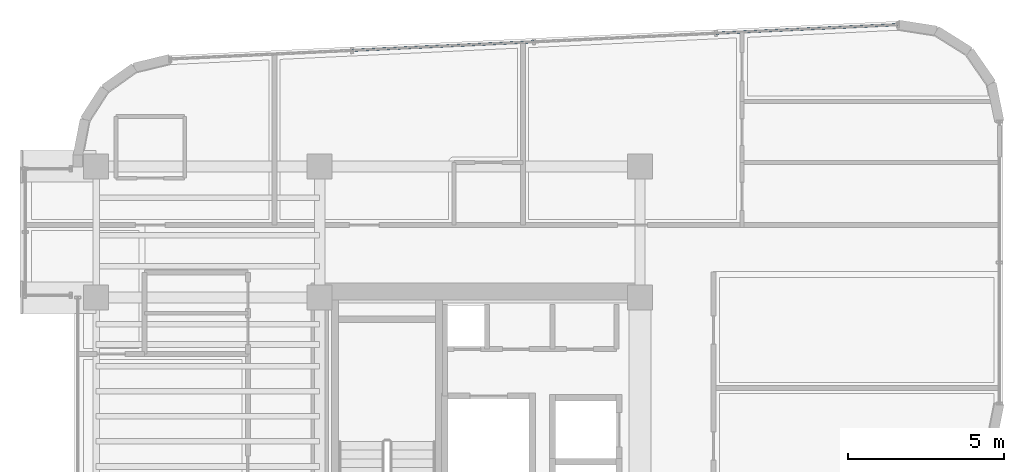
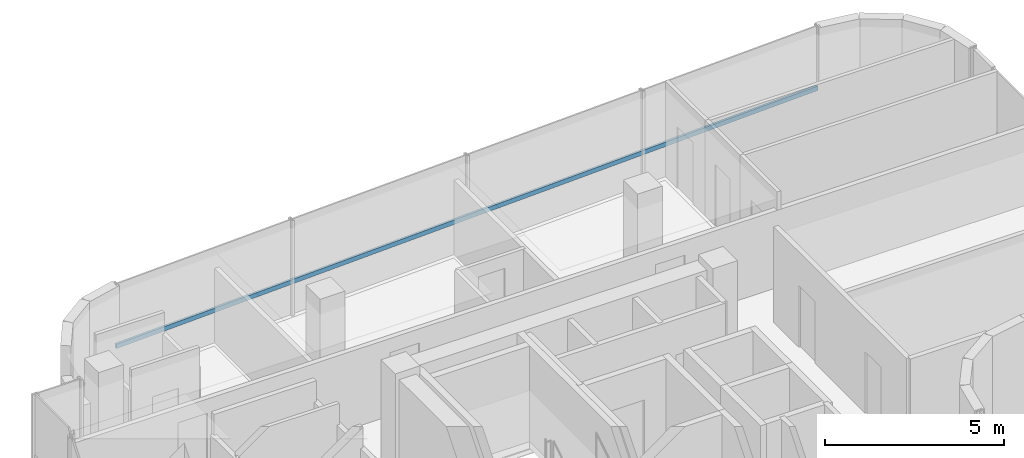
# One storey, part 13 of 21: 1 member, 1 element without a shape of its own.
"""IFC4 building model written with IfcOpenShell, lengths in metres."""

from ifc_helpers import new_model, si_unit, direction, frame, origin, origin_2d, place, context, subcontext, project, spatial, hollow_rectangle, extrude, source, transform, mapped, material, material_profile, profile_set, type_object, element, aggregate, save


model = new_model("IFC4")

# Units and contexts
model_context = context("Model", 3, precision=1e-05, world=origin(), true_north=direction((0.0, 1.0)))
body_context = subcontext(model_context, "Body", "Model", "MODEL_VIEW")
ifc_project = project(units=[si_unit("LENGTHUNIT", "METRE"), si_unit("AREAUNIT", "SQUARE_METRE"), si_unit("VOLUMEUNIT", "CUBIC_METRE"), si_unit("PLANEANGLEUNIT", "RADIAN"), si_unit("MASSUNIT", "GRAM", prefix="KILO")], contexts=[model_context])

# Site, building, storey
site_placement = place(None, origin())
site = spatial("IfcSite", under=ifc_project, at=site_placement, CompositionType="ELEMENT")
building_placement = place(site_placement, origin())
building = spatial("IfcBuilding", under=site, at=building_placement, Name="Valdorenza Pilgrim Sanctuary Tower", CompositionType="ELEMENT")
storey_placement = place(building_placement, frame((0.0, 0.0, 251.0)))
storey = spatial("IfcBuildingStorey", under=building, at=storey_placement, Name="L65", CompositionType="ELEMENT", Elevation=251.0)

# Curtain wall, member
ifc_material_1 = material(Name="Curtain-wall IGU glazing", Category="glass")
curtain_wall_type = type_object("IfcCurtainWallType", Name="CW-SYS-02", PredefinedType="NOTDEFINED", material=ifc_material_1)
curtain_wall_placement = place(storey_placement, origin())
curtain_wall = element("IfcCurtainWall", 1, at=curtain_wall_placement, inside=storey, type_object=curtain_wall_type, Name="L65 Curtain Wall CW-L65-1-6", PredefinedType="NOTDEFINED")
ifc_material_2 = material(Name="Anodised aluminium AW-6060", Category="aluminium")
ifc_material_profile = material_profile(ifc_material_2, hollow_rectangle(XDim=0.074951171875, YDim=0.14990234375, WallThickness=0.00390625, at=origin_2d()), Name="ALU-T 150x75x4")
ifc_profile_set = profile_set([ifc_material_profile], Name="Anodised aluminium AW-6060")
member_type = type_object("IfcMemberType", Name="CW-TRN-02", PredefinedType="USERDEFINED", material=ifc_profile_set)
shared_shape = source(origin(), body_context, "Body", "SweptSolid", [
    extrude(hollow_rectangle(XDim=0.074951171875, YDim=0.14990234375, WallThickness=0.00390625, at=origin_2d()), origin(), (0.0, 0.0, 1.0), 23.30419921875),
])
member_placement = place(storey_placement, frame((-27.43505859375, 18.234375, 1.1201171875), z_axis=(0.998890613053, 0.04709079693, 0.0), x_axis=(-0.04709079693, 0.998890613053, 0.0)))
member = element("IfcMember", 2, at=member_placement, type_object=member_type, Name="CW-L65-1-6 Transom 1", ObjectType="TRANSOM", PredefinedType="USERDEFINED", context=body_context, shape_type="MappedRepresentation", body=[
    mapped(shared_shape, transform((0.0, 0.0, 0.0), x_axis=(1.0, 0.0, 0.0), y_axis=(0.0, 1.0, 0.0), z_axis=(0.0, 0.0, 1.0), scale=1.0)),
])
aggregate(curtain_wall, [member])

save(model, "model.ifc")
